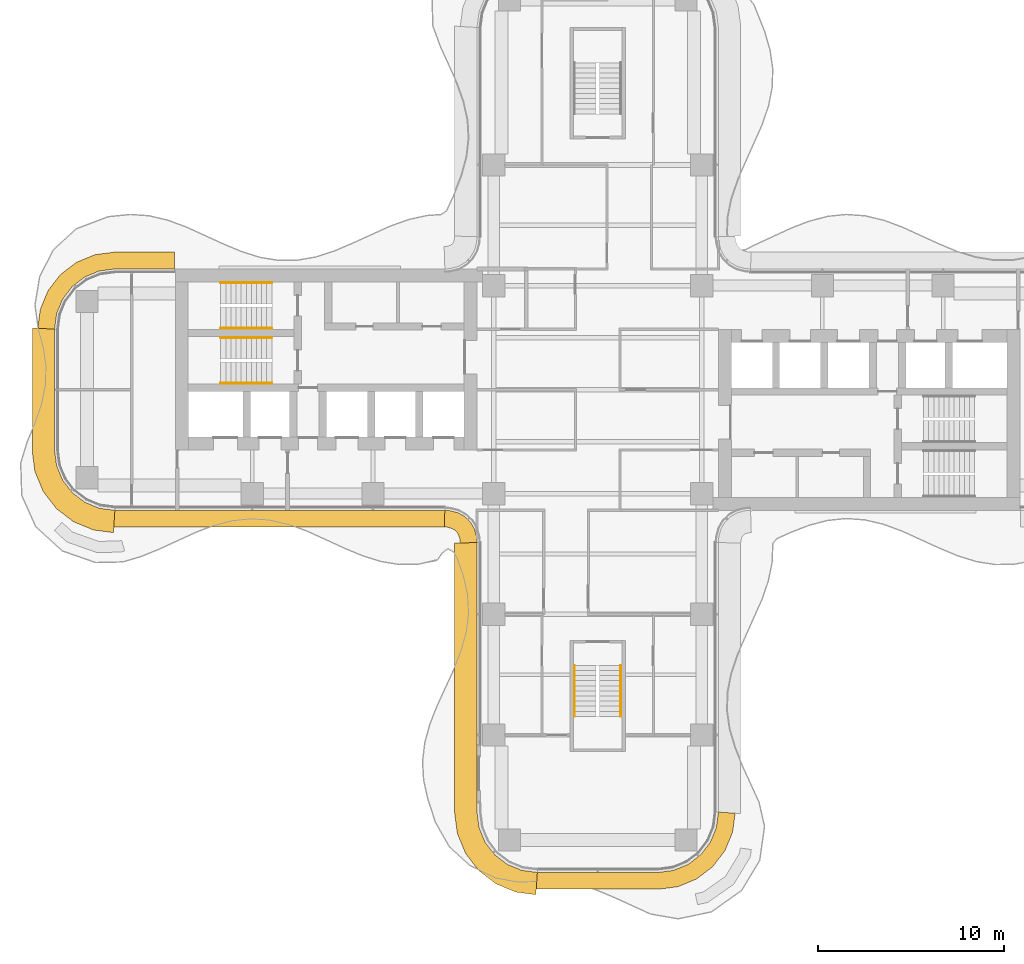
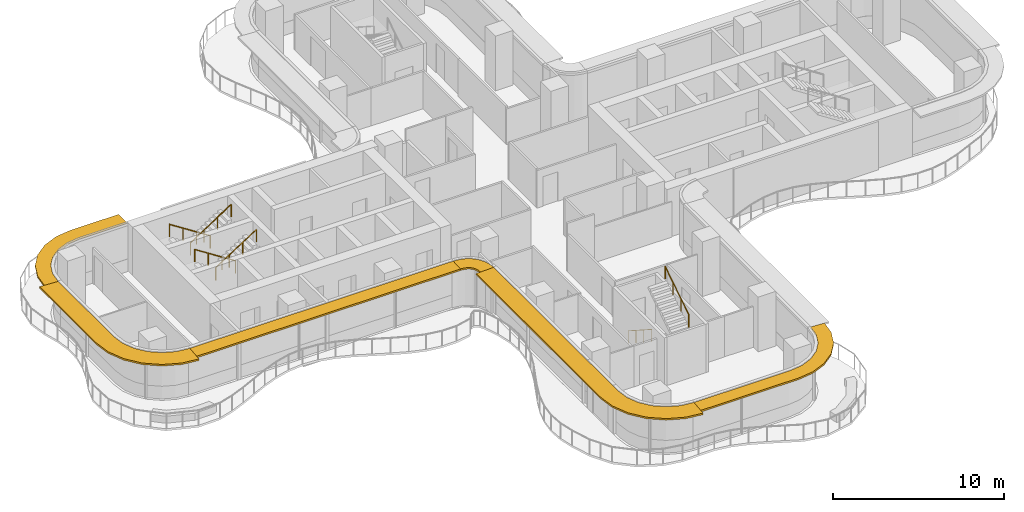
# One storey, part 16 of 17: 6 railings, 6 shading devices.
"""IFC4 building model written with IfcOpenShell, lengths in metres."""

from ifc_helpers import new_model, si_unit, direction, frame, origin, origin_2d, place, context, subcontext, project, spatial, polyline, circle, outline, extrude, source, transform, mapped, material, layer, layer_set, type_object, element, save


model = new_model("IFC4")

# Units and contexts
model_context = context("Model", 3, precision=1e-05, world=origin(), true_north=direction((0.0, 1.0)))
body_context = subcontext(model_context, "Body", "Model", "MODEL_VIEW")
ifc_project = project(units=[si_unit("LENGTHUNIT", "METRE"), si_unit("AREAUNIT", "SQUARE_METRE"), si_unit("VOLUMEUNIT", "CUBIC_METRE"), si_unit("PLANEANGLEUNIT", "RADIAN"), si_unit("MASSUNIT", "GRAM", prefix="KILO")], contexts=[model_context])

# Site, building, storey
site_placement = place(None, origin())
site = spatial("IfcSite", under=ifc_project, at=site_placement, CompositionType="ELEMENT")
building_placement = place(site_placement, origin())
building = spatial("IfcBuilding", under=site, at=building_placement, Name="Trellis Farm Tower", CompositionType="ELEMENT")
storey_placement = place(building_placement, frame((0.0, 0.0, 208.800048828125)))
storey = spatial("IfcBuildingStorey", under=building, at=storey_placement, Name="L46", CompositionType="ELEMENT", Elevation=208.800048828125)

# Railings
ifc_material_1 = material(Name="Stainless steel", Category="steel")
railing_type = type_object("IfcRailingType", Name="STAIR HANDRAIL 900", PredefinedType="HANDRAIL", material=ifc_material_1)
shared_shape_1 = source(origin(), body_context, "Body", "SweptSolid", [
    extrude(circle(Radius=0.02392578125, at=origin_2d()), frame((0.0, 0.0, 0.8759765625), z_axis=(0.0, 0.840503830235, 0.541805602924), x_axis=(-1.0, 0.0, 0.0)), (0.0, 0.0, 1.0), 3.271728515625),
    extrude(circle(Radius=0.02099609375, at=origin_2d()), origin(), (0.0, 0.0, 1.0), 0.851806640625),
    extrude(circle(Radius=0.02099609375, at=origin_2d()), frame((0.0, 0.916748046875, 0.5908203125)), (0.0, 0.0, 1.0), 0.851806640625),
    extrude(circle(Radius=0.02099609375, at=origin_2d()), frame((0.0, 1.833251953125, 1.181884765625)), (0.0, 0.0, 1.0), 0.851806640625),
    extrude(circle(Radius=0.02099609375, at=origin_2d()), frame((0.0, 2.75, 1.772705078125)), (0.0, 0.0, 1.0), 0.851806640625),
])
railing_1_placement = place(storey_placement, frame((1.25, -17.60009765625, 2.127197265625)))
element("IfcRailing", 1, at=railing_1_placement, inside=storey, type_object=railing_type, Name="Stair handrail", PredefinedType="HANDRAIL", context=body_context, shape_type="MappedRepresentation", body=[
    mapped(shared_shape_1, transform((0.0, 0.0, 0.0))),
])
shared_shape_2 = source(origin(), body_context, "Body", "SweptSolid", [
    extrude(circle(Radius=0.02392578125, at=origin_2d()), frame((0.0, 0.0, 0.8759765625), z_axis=(0.0, -0.840503830235, 0.541805602924), x_axis=(1.0, 0.0, 0.0)), (0.0, 0.0, 1.0), 3.271728515625),
    extrude(circle(Radius=0.02099609375, at=origin_2d()), origin(), (0.0, 0.0, 1.0), 0.851806640625),
    extrude(circle(Radius=0.02099609375, at=origin_2d()), frame((0.0, -0.916748046875, 0.5908203125)), (0.0, 0.0, 1.0), 0.851806640625),
    extrude(circle(Radius=0.02099609375, at=origin_2d()), frame((0.0, -1.833251953125, 1.181884765625)), (0.0, 0.0, 1.0), 0.851806640625),
    extrude(circle(Radius=0.02099609375, at=origin_2d()), frame((0.0, -2.75, 1.772705078125)), (0.0, 0.0, 1.0), 0.851806640625),
])
railing_2_placement = place(storey_placement, frame((-1.25, -14.85009765625, 0.17724609375)))
element("IfcRailing", 2, at=railing_2_placement, inside=storey, type_object=railing_type, Name="Stair handrail", PredefinedType="HANDRAIL", context=body_context, shape_type="MappedRepresentation", body=[
    mapped(shared_shape_2, transform((0.0, 0.0, 0.0))),
])
shared_shape_3 = source(origin(), body_context, "Body", "SweptSolid", [
    extrude(circle(Radius=0.02392578125, at=origin_2d()), frame((0.0, 0.0, 0.8759765625), z_axis=(0.840503830235, 0.0, 0.541805602924), x_axis=(0.0, 1.0, 0.0)), (0.0, 0.0, 1.0), 3.271728515625),
    extrude(circle(Radius=0.02099609375, at=origin_2d()), origin(), (0.0, 0.0, 1.0), 0.851806640625),
    extrude(circle(Radius=0.02099609375, at=origin_2d()), frame((0.916748046875, 0.0, 0.5908203125)), (0.0, 0.0, 1.0), 0.851806640625),
    extrude(circle(Radius=0.02099609375, at=origin_2d()), frame((1.833251953125, 0.0, 1.181884765625)), (0.0, 0.0, 1.0), 0.851806640625),
    extrude(circle(Radius=0.02099609375, at=origin_2d()), frame((2.75, 0.0, 1.772705078125)), (0.0, 0.0, 1.0), 0.851806640625),
])
for number, where, name in (
    (3, (-20.300048828125, 3.300048828125, 2.127197265625), "Stair handrail"),
    (4, (-20.300048828125, 0.35009765625, 2.127197265625), "Stair handrail"),
):
    element("IfcRailing", number, at=place(storey_placement, frame(where)), inside=storey, type_object=railing_type, Name=name, PredefinedType="HANDRAIL", context=body_context, shape_type="MappedRepresentation", body=[
        mapped(shared_shape_3, transform((0.0, 0.0, 0.0))),
    ])
shared_shape_4 = source(origin(), body_context, "Body", "SweptSolid", [
    extrude(circle(Radius=0.02392578125, at=origin_2d()), frame((0.0, 0.0, 0.8759765625), z_axis=(-0.840503830235, 0.0, 0.541805602924), x_axis=(0.0, -1.0, 0.0)), (0.0, 0.0, 1.0), 3.271728515625),
    extrude(circle(Radius=0.02099609375, at=origin_2d()), origin(), (0.0, 0.0, 1.0), 0.851806640625),
    extrude(circle(Radius=0.02099609375, at=origin_2d()), frame((-0.916748046875, 0.0, 0.5908203125)), (0.0, 0.0, 1.0), 0.851806640625),
    extrude(circle(Radius=0.02099609375, at=origin_2d()), frame((-1.833251953125, 0.0, 1.181884765625)), (0.0, 0.0, 1.0), 0.851806640625),
    extrude(circle(Radius=0.02099609375, at=origin_2d()), frame((-2.75, 0.0, 1.772705078125)), (0.0, 0.0, 1.0), 0.851806640625),
])
for number, where, name in (
    (5, (-17.550048828125, 5.75, 0.17724609375), "Stair handrail"),
    (6, (-17.550048828125, 2.800048828125, 0.17724609375), "Stair handrail"),
):
    element("IfcRailing", number, at=place(storey_placement, frame(where)), inside=storey, type_object=railing_type, Name=name, PredefinedType="HANDRAIL", context=body_context, shape_type="MappedRepresentation", body=[
        mapped(shared_shape_4, transform((0.0, 0.0, 0.0))),
    ])

# Shading devices
ifc_material_2 = material(Name="Aluminium extrusion 6063-T6", Category="aluminium")
ifc_layer_1 = layer(ifc_material_2, 0.1201171875)
ifc_layer_set_1 = layer_set([ifc_layer_1], Name="SUNSHADE BLADE 900")
shading_device_type_1 = type_object("IfcShadingDeviceType", Name="SUNSHADE BLADE 900", PredefinedType="USERDEFINED", material=ifc_layer_set_1)
shared_shape_5 = source(origin(), body_context, "Body", "SweptSolid", [
    extrude(outline(polyline([(-8.2607421875, -7.39990234375), (-8.107666015625, -7.409912109375), (-8.091552734375, -7.412109375), (-7.85595703125, -7.475341796875), (-7.697021484375, -7.567138671875), (-7.567138671875, -7.697021484375), (-7.475341796875, -7.85595703125), (-7.412109375, -8.091552734375), (-7.409912109375, -8.107666015625), (-7.39990234375, -8.2607421875), (-6.5, -8.2314453125), (-6.513916015625, -8.01953125), (-6.527587890625, -7.91552734375), (-6.63671875, -7.508544921875), (-6.846923828125, -7.144287109375), (-7.144287109375, -6.846923828125), (-7.508544921875, -6.63671875), (-7.91552734375, -6.527587890625), (-8.01953125, -6.513916015625), (-8.2314453125, -6.5), (-8.2607421875, -7.39990234375)])), origin(), (0.0, 0.0, 1.0), 0.119873046875),
])
placement = place(storey_placement, frame((0.0, 0.0, 3.2900390625)))
element("IfcShadingDevice", 7, at=placement, inside=storey, type_object=shading_device_type_1, Name="SD1 002", ObjectType="SUNSHADE", PredefinedType="USERDEFINED", context=body_context, shape_type="MappedRepresentation", body=[
    mapped(shared_shape_5, transform((0.0, 0.0, 0.0))),
])
ifc_layer_2 = layer(ifc_material_2, 0.1201171875)
ifc_layer_set_2 = layer_set([ifc_layer_2], Name="SUNSHADE BLADE 1200")
shading_device_type_2 = type_object("IfcShadingDeviceType", Name="SUNSHADE BLADE 1200", PredefinedType="USERDEFINED", material=ifc_layer_set_2)
shared_shape_6 = source(origin(), body_context, "Body", "SweptSolid", [
    extrude(outline(polyline([(-7.699951171875, -8.270751953125), (-7.699951171875, -22.82861328125), (-7.558349609375, -23.904541015625), (-7.11279296875, -24.980224609375), (-6.404052734375, -25.904052734375), (-5.480224609375, -26.61279296875), (-4.404541015625, -27.058349609375), (-3.32861328125, -27.199951171875), (-3.25, -26.0), (-4.091064453125, -25.88916015625), (-4.875, -25.564697265625), (-5.548095703125, -25.048095703125), (-6.064697265625, -24.375), (-6.38916015625, -23.591064453125), (-6.5, -22.75), (-6.5, -8.2314453125), (-7.699951171875, -8.270751953125)])), origin(), (0.0, 0.0, 1.0), 0.119873046875),
])
element("IfcShadingDevice", 8, at=placement, inside=storey, type_object=shading_device_type_2, Name="SD2 003", ObjectType="SUNSHADE", PredefinedType="USERDEFINED", context=body_context, shape_type="MappedRepresentation", body=[
    mapped(shared_shape_6, transform((0.0, 0.0, 0.0))),
])
shared_shape_7 = source(origin(), body_context, "Body", "SweptSolid", [
    extrude(outline(polyline([(-3.30908203125, -26.89990234375), (3.30908203125, -26.89990234375), (4.326171875, -26.76611328125), (5.328857421875, -26.350830078125), (6.18994140625, -25.68994140625), (6.850830078125, -24.828857421875), (7.26611328125, -23.826171875), (7.39990234375, -22.80908203125), (6.5, -22.75), (6.38916015625, -23.591064453125), (6.064697265625, -24.375), (5.548095703125, -25.048095703125), (4.875, -25.564697265625), (4.091064453125, -25.88916015625), (3.25, -26.0), (-3.25, -26.0), (-3.30908203125, -26.89990234375)])), origin(), (0.0, 0.0, 1.0), 0.119873046875),
])
element("IfcShadingDevice", 9, at=placement, inside=storey, type_object=shading_device_type_1, Name="SD1 004", ObjectType="SUNSHADE", PredefinedType="USERDEFINED", context=body_context, shape_type="MappedRepresentation", body=[
    mapped(shared_shape_7, transform((0.0, 0.0, 0.0))),
])
shared_shape_8 = source(origin(), body_context, "Body", "SweptSolid", [
    extrude(outline(polyline([(-26.05908203125, -7.39990234375), (-8.2607421875, -7.39990234375), (-8.2314453125, -6.5), (-26.0, -6.5), (-26.05908203125, -7.39990234375)])), origin(), (0.0, 0.0, 1.0), 0.119873046875),
])
element("IfcShadingDevice", 10, at=placement, inside=storey, type_object=shading_device_type_1, Name="SD1 001", ObjectType="SUNSHADE", PredefinedType="USERDEFINED", context=body_context, shape_type="MappedRepresentation", body=[
    mapped(shared_shape_8, transform((0.0, 0.0, 0.0))),
])
shared_shape_9 = source(origin(), body_context, "Body", "SweptSolid", [
    extrude(outline(polyline([(-22.780029296875, 7.39990234375), (-26.05908203125, 7.39990234375), (-27.076171875, 7.26611328125), (-28.078857421875, 6.850830078125), (-28.93994140625, 6.18994140625), (-29.600830078125, 5.328857421875), (-30.01611328125, 4.326171875), (-30.14990234375, 3.30908203125), (-29.25, 3.25), (-29.13916015625, 4.091064453125), (-28.814697265625, 4.875), (-28.298095703125, 5.548095703125), (-27.625, 6.064697265625), (-26.841064453125, 6.38916015625), (-26.0, 6.5), (-22.780029296875, 6.5), (-22.780029296875, 7.39990234375)])), origin(), (0.0, 0.0, 1.0), 0.119873046875),
])
element("IfcShadingDevice", 11, at=placement, inside=storey, type_object=shading_device_type_1, Name="SD1 015", ObjectType="SUNSHADE", PredefinedType="USERDEFINED", context=body_context, shape_type="MappedRepresentation", body=[
    mapped(shared_shape_9, transform((0.0, 0.0, 0.0))),
])
shared_shape_10 = source(origin(), body_context, "Body", "SweptSolid", [
    extrude(outline(polyline([(-30.449951171875, 3.32861328125), (-30.449951171875, -3.32861328125), (-30.308349609375, -4.404541015625), (-29.86279296875, -5.480224609375), (-29.154052734375, -6.404052734375), (-28.230224609375, -7.11279296875), (-27.154541015625, -7.558349609375), (-26.07861328125, -7.699951171875), (-26.0, -6.5), (-26.841064453125, -6.38916015625), (-27.625, -6.064697265625), (-28.298095703125, -5.548095703125), (-28.814697265625, -4.875), (-29.13916015625, -4.091064453125), (-29.25, -3.25), (-29.25, 3.25), (-30.449951171875, 3.32861328125)])), origin(), (0.0, 0.0, 1.0), 0.119873046875),
])
element("IfcShadingDevice", 12, at=placement, inside=storey, type_object=shading_device_type_2, Name="SD2 016", ObjectType="SUNSHADE", PredefinedType="USERDEFINED", context=body_context, shape_type="MappedRepresentation", body=[
    mapped(shared_shape_10, transform((0.0, 0.0, 0.0))),
])

save(model, "model.ifc")
